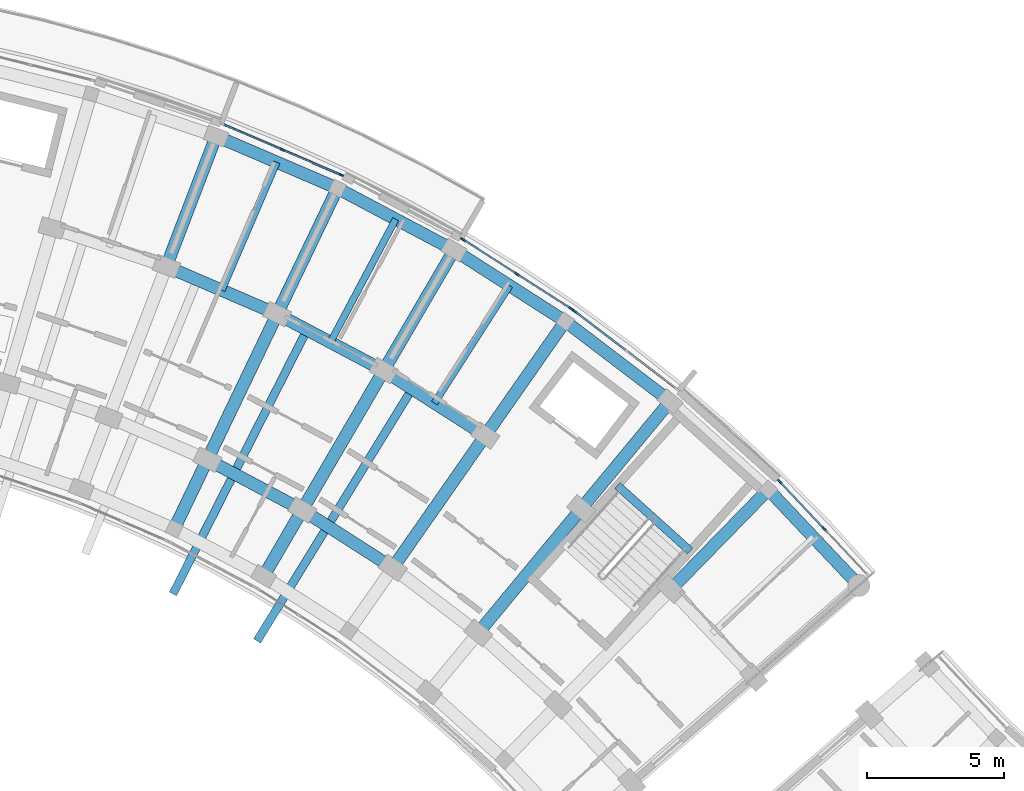
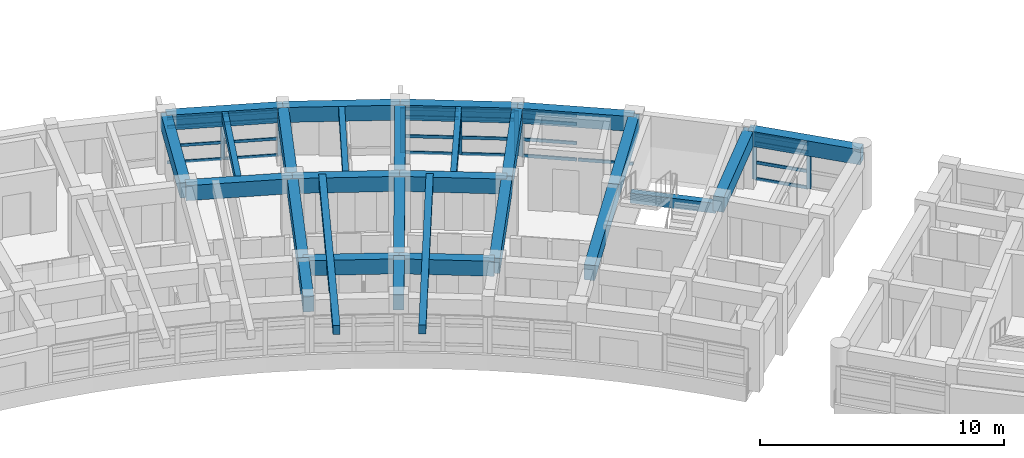
# One storey, part 22 of 70: 33 members, 28 beams, 4 elements without a shape of their own.
"""IFC4 building model written with IfcOpenShell, lengths in metres."""

from ifc_helpers import new_model, si_unit, direction, frame, origin, origin_2d, place, context, subcontext, project, spatial, rectangle, extrude, material, material_profile, profile_set, type_object, element, aggregate, save


model = new_model("IFC4")

# Units and contexts
model_context = context("Model", 3, precision=1e-05, world=origin(), true_north=direction((0.0, 1.0)))
body_context = subcontext(model_context, "Body", "Model", "MODEL_VIEW")
ifc_project = project(units=[si_unit("LENGTHUNIT", "METRE"), si_unit("AREAUNIT", "SQUARE_METRE"), si_unit("VOLUMEUNIT", "CUBIC_METRE"), si_unit("PLANEANGLEUNIT", "RADIAN"), si_unit("MASSUNIT", "GRAM", prefix="KILO")], contexts=[model_context])

# Site, building, storey
site_placement = place(None, origin())
site = spatial("IfcSite", under=ifc_project, at=site_placement, CompositionType="ELEMENT")
building_placement = place(site_placement, origin())
building = spatial("IfcBuilding", under=site, at=building_placement, Name="Zimvara Arc Housing Community", CompositionType="ELEMENT")
storey_placement = place(building_placement, frame((0.0, 0.0, 8.10009765625)))
storey = spatial("IfcBuildingStorey", under=building, at=storey_placement, Name="L02", CompositionType="ELEMENT", Elevation=8.10009765625)

# Beams
ifc_material_1 = material(Name="Concrete C40/50", Category="concrete")
ifc_material_profile_1 = material_profile(ifc_material_1, rectangle(XDim=0.25, YDim=0.449951171875, at=origin_2d()), Name="RC 250x450")
ifc_profile_set_1 = profile_set([ifc_material_profile_1], Name="Concrete C40/50")
beam_type_1 = type_object("IfcBeamType", Name="BM-RC-250x450", PredefinedType="JOIST", material=ifc_profile_set_1)
beam_1_placement = place(storey_placement, frame((66.22802734375, 93.885986328125, 2.65478515625), z_axis=(0.394929109608, 0.918711596958, 0.0), x_axis=(-0.918711596958, 0.394929109608, 0.0)))
element("IfcBeam", 1, at=beam_1_placement, inside=storey, type_object=beam_type_1, Name="bm:blkB:L02:joist:b4", PredefinedType="JOIST", context=body_context, shape_type="SweptSolid", body=[
    extrude(rectangle(XDim=0.25, YDim=0.449951171875, at=origin_2d()), origin(), (0.0, 0.0, 1.0), 5.075927734375),
])
for number, where, z_axis, x_axis, name in (
    (2, (70.186767578125, 91.9892578125, 2.65478515625), (0.46853732736, 0.883443701019, 0.0), (-0.883443701019, 0.46853732736, 0.0), "bm:blkB:L02:joist:b5"),
    (3, (73.9775390625, 89.776123046875, 2.65478515625), (0.539052331508, 0.842272274206, 0.0), (-0.842272274206, 0.539052331508, 0.0), "bm:blkB:L02:joist:b6"),
):
    element("IfcBeam", number, at=place(storey_placement, frame(where, z_axis=z_axis, x_axis=x_axis)), inside=storey, type_object=beam_type_1, Name=name, PredefinedType="JOIST", context=body_context, shape_type="SweptSolid", body=[
        extrude(rectangle(XDim=0.25, YDim=0.449951171875, at=origin_2d()), origin(), (0.0, 0.0, 1.0), 5.07568359375),
    ])
ifc_material_2 = material(Name="Concrete C40/50", Category="concrete")
ifc_material_profile_2 = material_profile(ifc_material_2, rectangle(XDim=0.300048828125, YDim=0.449951171875, at=origin_2d()), Name="RC 300x450")
ifc_profile_set_2 = profile_set([ifc_material_profile_2], Name="Concrete C40/50")
beam_type_2 = type_object("IfcBeamType", Name="BM-RC-300x450", PredefinedType="JOIST", material=ifc_profile_set_2)
beam_2_placement = place(storey_placement, frame((69.349609375, 92.474365234375, 2.664794921875), z_axis=(-0.452584717722, -0.89172141013, 0.0), x_axis=(0.89172141013, -0.452584717722, 0.0)))
element("IfcBeam", 4, at=beam_2_placement, inside=storey, type_object=beam_type_2, Name="bm:blkB:L02:cant_in:b5", PredefinedType="JOIST", context=body_context, shape_type="SweptSolid", body=[
    extrude(rectangle(XDim=0.300048828125, YDim=0.449951171875, at=origin_2d()), origin(), (0.0, 0.0, 1.0), 10.820068359375),
])
beam_3_placement = place(storey_placement, frame((73.182861328125, 90.32763671875, 2.664794921875), z_axis=(-0.523845615736, -0.851813225346, 0.0), x_axis=(0.851813225346, -0.523845615736, 0.0)))
element("IfcBeam", 5, at=beam_3_placement, inside=storey, type_object=beam_type_2, Name="bm:blkB:L02:cant_in:b6", PredefinedType="JOIST", context=body_context, shape_type="SweptSolid", body=[
    extrude(rectangle(XDim=0.300048828125, YDim=0.449951171875, at=origin_2d()), origin(), (0.0, 0.0, 1.0), 10.81982421875),
])
ifc_material_3 = material(Name="Concrete C40/50", Category="concrete")
ifc_material_profile_3 = material_profile(ifc_material_3, rectangle(XDim=0.300048828125, YDim=0.5, at=origin_2d()), Name="RC 300x500")
ifc_profile_set_3 = profile_set([ifc_material_profile_3], Name="Concrete C40/50")
beam_type_3 = type_object("IfcBeamType", Name="BM-RC-300x500", PredefinedType="BEAM", material=ifc_profile_set_3)
beam_4_placement = place(storey_placement, frame((83.2900390625, 84.38671875, 1.2998046875), z_axis=(-0.743396155404, 0.668851370732, 0.0), x_axis=(-0.668851370732, -0.743396155404, 0.0)))
element("IfcBeam", 6, at=beam_4_placement, inside=storey, type_object=beam_type_3, Name="bm:stair_trim:ST-B2:L02:mid", PredefinedType="BEAM", context=body_context, shape_type="SweptSolid", body=[
    extrude(rectangle(XDim=0.300048828125, YDim=0.5, at=origin_2d()), origin(), (0.0, 0.0, 1.0), 3.56982421875),
])
ifc_material_4 = material(Name="Concrete C40/50", Category="concrete")
ifc_material_profile_4 = material_profile(ifc_material_4, rectangle(XDim=0.449951171875, YDim=0.75, at=origin_2d()), Name="RC 450x750")
ifc_profile_set_4 = profile_set([ifc_material_profile_4], Name="Concrete C40/50")
beam_type_4 = type_object("IfcBeamType", Name="BM-RC-450x750", PredefinedType="BEAM", material=ifc_profile_set_4)
beam_5_placement = place(storey_placement, frame((65.70556640625, 87.7158203125, 2.5048828125), z_axis=(0.883438625159, -0.468546897948, 0.0), x_axis=(0.468546897948, 0.883438625159, 0.0)))
element("IfcBeam", 7, at=beam_5_placement, inside=storey, type_object=beam_type_4, Name="bm:blkB:L02:chord:r1:b5", PredefinedType="BEAM", context=body_context, shape_type="SweptSolid", body=[
    extrude(rectangle(XDim=0.449951171875, YDim=0.75, at=origin_2d()), origin(), (0.0, 0.0, 1.0), 3.9130859375),
])
beam_6_placement = place(storey_placement, frame((69.16259765625, 85.88232421875, 2.5048828125), z_axis=(0.842253269878, -0.539082024724, 0.0), x_axis=(0.539082024724, 0.842253269878, 0.0)))
element("IfcBeam", 8, at=beam_6_placement, inside=storey, type_object=beam_type_4, Name="bm:blkB:L02:chord:r1:b6", PredefinedType="BEAM", context=body_context, shape_type="SweptSolid", body=[
    extrude(rectangle(XDim=0.449951171875, YDim=0.75, at=origin_2d()), origin(), (0.0, 0.0, 1.0), 3.912841796875),
])
for number, where, z_axis, x_axis, name in (
    (9, (64.2099609375, 94.75341796875, 2.5048828125), (0.918724840088, -0.394898301093, 0.0), (0.394898301093, 0.918724840088, 0.0), "bm:blkB:L02:chord:r2:b4"),
    (10, (68.24609375, 93.0185546875, 2.5048828125), (0.883456526058, -0.468513144496, 0.0), (0.468513144496, 0.883456526058, 0.0), "bm:blkB:L02:chord:r2:b5"),
    (11, (72.12744140625, 90.960205078125, 2.5048828125), (0.842242131326, -0.539099427025, 0.0), (0.539099427025, 0.842242131326, 0.0), "bm:blkB:L02:chord:r2:b6"),
):
    element("IfcBeam", number, at=place(storey_placement, frame(where, z_axis=z_axis, x_axis=x_axis)), inside=storey, type_object=beam_type_4, Name=name, PredefinedType="BEAM", context=body_context, shape_type="SweptSolid", body=[
        extrude(rectangle(XDim=0.449951171875, YDim=0.75, at=origin_2d()), origin(), (0.0, 0.0, 1.0), 4.393310546875),
    ])
beam_7_placement = place(storey_placement, frame((66.02392578125, 99.49853515625, 2.5048828125), z_axis=(0.918724276228, -0.394899612901, 0.0), x_axis=(0.394899612901, 0.918724276228, 0.0)))
element("IfcBeam", 12, at=beam_7_placement, inside=storey, type_object=beam_type_4, Name="bm:blkB:L02:chord:r3:b4", PredefinedType="BEAM", context=body_context, shape_type="SweptSolid", body=[
    extrude(rectangle(XDim=0.449951171875, YDim=0.75, at=origin_2d()), origin(), (0.0, 0.0, 1.0), 4.80810546875),
])
beam_8_placement = place(storey_placement, frame((70.441162109375, 97.599853515625, 2.5048828125), z_axis=(0.883445542299, -0.468533855546, 0.0), x_axis=(0.468533855546, 0.883445542299, 0.0)))
element("IfcBeam", 13, at=beam_8_placement, inside=storey, type_object=beam_type_4, Name="bm:blkB:L02:chord:r3:b5", PredefinedType="BEAM", context=body_context, shape_type="SweptSolid", body=[
    extrude(rectangle(XDim=0.449951171875, YDim=0.75, at=origin_2d()), origin(), (0.0, 0.0, 1.0), 4.807861328125),
])
beam_9_placement = place(storey_placement, frame((74.688720703125, 95.34716796875, 2.5048828125), z_axis=(0.842255724028, -0.539078190379, 0.0), x_axis=(0.539078190379, 0.842255724028, 0.0)))
element("IfcBeam", 14, at=beam_9_placement, inside=storey, type_object=beam_type_4, Name="bm:blkB:L02:chord:r3:b6", PredefinedType="BEAM", context=body_context, shape_type="SweptSolid", body=[
    extrude(rectangle(XDim=0.449951171875, YDim=0.75, at=origin_2d()), origin(), (0.0, 0.0, 1.0), 4.808349609375),
])
for number, where, z_axis, x_axis, name in (
    (15, (78.738525390625, 92.755126953125, 2.5048828125), (0.795480673672, -0.605978958228, 0.0), (0.605978958228, 0.795480673672, 0.0), "bm:blkB:L02:chord:r3:b7"),
    (16, (86.137451171875, 86.625732421875, 2.5048828125), (0.6862954451, -0.727322873307, 0.0), (0.727322873307, 0.6862954451, 0.0), "bm:blkB:L02:chord:r3:b9"),
):
    element("IfcBeam", number, at=place(storey_placement, frame(where, z_axis=z_axis, x_axis=x_axis)), inside=storey, type_object=beam_type_4, Name=name, PredefinedType="BEAM", context=body_context, shape_type="SweptSolid", body=[
        extrude(rectangle(XDim=0.449951171875, YDim=0.75, at=origin_2d()), origin(), (0.0, 0.0, 1.0), 4.80810546875),
    ])
beam_10_placement = place(storey_placement, frame((64.2099609375, 94.75341796875, 2.5048828125), z_axis=(0.357078271386, 0.934074466038, 0.0), x_axis=(-0.934074466038, 0.357078271386, 0.0)))
element("IfcBeam", 17, at=beam_10_placement, inside=storey, type_object=beam_type_4, Name="bm:blkB:L02:rad:b4:r23", PredefinedType="BEAM", context=body_context, shape_type="SweptSolid", body=[
    extrude(rectangle(XDim=0.449951171875, YDim=0.75, at=origin_2d()), origin(), (0.0, 0.0, 1.0), 5.080078125),
])
beam_11_placement = place(storey_placement, frame((64.49560546875, 85.190673828125, 2.5048828125), z_axis=(0.432118703138, 0.901816736593, 0.0), x_axis=(-0.901816736593, 0.432118703138, 0.0)))
element("IfcBeam", 18, at=beam_11_placement, inside=storey, type_object=beam_type_4, Name="bm:blkB:L02:rad:b5:r01", PredefinedType="BEAM", context=body_context, shape_type="SweptSolid", body=[
    extrude(rectangle(XDim=0.449951171875, YDim=0.75, at=origin_2d()), origin(), (0.0, 0.0, 1.0), 2.800048828125),
])
beam_12_placement = place(storey_placement, frame((65.70556640625, 87.7158203125, 2.5048828125), z_axis=(0.432069527705, 0.901840298073, 0.0), x_axis=(-0.901840298073, 0.432069527705, 0.0)))
element("IfcBeam", 19, at=beam_12_placement, inside=storey, type_object=beam_type_4, Name="bm:blkB:L02:rad:b5:r12", PredefinedType="BEAM", context=body_context, shape_type="SweptSolid", body=[
    extrude(rectangle(XDim=0.449951171875, YDim=0.75, at=origin_2d()), origin(), (0.0, 0.0, 1.0), 5.8798828125),
])
beam_13_placement = place(storey_placement, frame((68.24609375, 93.0185546875, 2.5048828125), z_axis=(0.432098194978, 0.901826563091, 0.0), x_axis=(-0.901826563091, 0.432098194978, 0.0)))
element("IfcBeam", 20, at=beam_13_placement, inside=storey, type_object=beam_type_4, Name="bm:blkB:L02:rad:b5:r23", PredefinedType="BEAM", context=body_context, shape_type="SweptSolid", body=[
    extrude(rectangle(XDim=0.449951171875, YDim=0.75, at=origin_2d()), origin(), (0.0, 0.0, 1.0), 5.080078125),
])
beam_14_placement = place(storey_placement, frame((67.750732421875, 83.46435546875, 2.5048828125), z_axis=(0.504239631668, 0.86356377521, 0.0), x_axis=(-0.86356377521, 0.504239631668, 0.0)))
element("IfcBeam", 21, at=beam_14_placement, inside=storey, type_object=beam_type_4, Name="bm:blkB:L02:rad:b6:r01", PredefinedType="BEAM", context=body_context, shape_type="SweptSolid", body=[
    extrude(rectangle(XDim=0.449951171875, YDim=0.75, at=origin_2d()), origin(), (0.0, 0.0, 1.0), 2.800048828125),
])
beam_15_placement = place(storey_placement, frame((69.16259765625, 85.88232421875, 2.5048828125), z_axis=(0.504219494781, 0.863575532934, 0.0), x_axis=(-0.863575532934, 0.504219494781, 0.0)))
element("IfcBeam", 22, at=beam_15_placement, inside=storey, type_object=beam_type_4, Name="bm:blkB:L02:rad:b6:r12", PredefinedType="BEAM", context=body_context, shape_type="SweptSolid", body=[
    extrude(rectangle(XDim=0.449951171875, YDim=0.75, at=origin_2d()), origin(), (0.0, 0.0, 1.0), 5.880126953125),
])
beam_16_placement = place(storey_placement, frame((72.12744140625, 90.960205078125, 2.5048828125), z_axis=(0.504196701544, 0.863588840915, 0.0), x_axis=(-0.863588840915, 0.504196701544, 0.0)))
element("IfcBeam", 23, at=beam_16_placement, inside=storey, type_object=beam_type_4, Name="bm:blkB:L02:rad:b6:r23", PredefinedType="BEAM", context=body_context, shape_type="SweptSolid", body=[
    extrude(rectangle(XDim=0.449951171875, YDim=0.75, at=origin_2d()), origin(), (0.0, 0.0, 1.0), 5.079833984375),
])
beam_17_placement = place(storey_placement, frame((72.458251953125, 83.77294921875, 2.5048828125), z_axis=(0.573027549978, 0.819536104736, 0.0), x_axis=(-0.819536104736, 0.573027549978, 0.0)))
element("IfcBeam", 24, at=beam_17_placement, inside=storey, type_object=beam_type_4, Name="bm:blkB:L02:rad:b7:r12", PredefinedType="BEAM", context=body_context, shape_type="SweptSolid", body=[
    extrude(rectangle(XDim=0.449951171875, YDim=0.75, at=origin_2d()), origin(), (0.0, 0.0, 1.0), 5.8798828125),
])
beam_18_placement = place(storey_placement, frame((75.82763671875, 88.591796875, 2.5048828125), z_axis=(0.573007469479, 0.819550144848, 0.0), x_axis=(-0.819550144848, 0.573007469479, 0.0)))
element("IfcBeam", 25, at=beam_18_placement, inside=storey, type_object=beam_type_4, Name="bm:blkB:L02:rad:b7:r23", PredefinedType="BEAM", context=body_context, shape_type="SweptSolid", body=[
    extrude(rectangle(XDim=0.449951171875, YDim=0.75, at=origin_2d()), origin(), (0.0, 0.0, 1.0), 5.080078125),
])
beam_19_placement = place(storey_placement, frame((75.571044921875, 81.401611328125, 2.5048828125), z_axis=(0.637955964415, 0.770072845559, 0.0), x_axis=(-0.770072845559, 0.637955964415, 0.0)))
element("IfcBeam", 26, at=beam_19_placement, inside=storey, type_object=beam_type_4, Name="bm:blkB:L02:rad:b8:r12", PredefinedType="BEAM", context=body_context, shape_type="SweptSolid", body=[
    extrude(rectangle(XDim=0.449951171875, YDim=0.75, at=origin_2d()), origin(), (0.0, 0.0, 1.0), 5.880126953125),
])
for number, where, z_axis, x_axis, name in (
    (27, (79.322265625, 85.9296875, 2.5048828125), (0.637983669165, 0.77004989311, 0.0), (-0.77004989311, 0.637983669165, 0.0), "bm:blkB:L02:rad:b8:r23"),
    (28, (82.588134765625, 82.9912109375, 2.5048828125), (0.698670885014, 0.71544321538, 0.0), (-0.71544321538, 0.698670885014, 0.0), "bm:blkB:L02:rad:b9:r23"),
):
    element("IfcBeam", number, at=place(storey_placement, frame(where, z_axis=z_axis, x_axis=x_axis)), inside=storey, type_object=beam_type_4, Name=name, PredefinedType="BEAM", context=body_context, shape_type="SweptSolid", body=[
        extrude(rectangle(XDim=0.449951171875, YDim=0.75, at=origin_2d()), origin(), (0.0, 0.0, 1.0), 5.080078125),
    ])

# Curtain wall, members
ifc_material_5 = material(Name="Anodised Aluminium AW-6063", Category="aluminium")
curtain_wall_type_1 = type_object("IfcCurtainWallType", Name="CW-SYS-06", PredefinedType="USERDEFINED", material=ifc_material_5)
curtain_wall_1_placement = place(storey_placement, origin())
curtain_wall_1 = element("IfcCurtainWall", 29, at=curtain_wall_1_placement, inside=storey, type_object=curtain_wall_type_1, Name="cw:blkB:L02:out:b4", ObjectType="CURTAIN WALL", PredefinedType="USERDEFINED")
ifc_material_6 = material(Name="Anodised Aluminium AW-6063", Category="aluminium")
ifc_material_profile_5 = material_profile(ifc_material_6, rectangle(XDim=0.06494140625, YDim=0.179931640625, at=origin_2d()), Name="ALU 65x180")
ifc_profile_set_5 = profile_set([ifc_material_profile_5], Name="Anodised Aluminium AW-6063")
member_type_1 = type_object("IfcMemberType", Name="CWM-65x150", PredefinedType="MULLION", material=ifc_profile_set_5)
member_1_placement = place(storey_placement, frame((68.429931640625, 99.00830078125, 0.0), z_axis=(0.0, 0.0, 1.0), x_axis=(0.394904211998, 0.918722299363, 0.0)))
member_1 = element("IfcMember", 30, at=member_1_placement, type_object=member_type_1, Name="CW06 mullion 2", PredefinedType="MULLION", context=body_context, shape_type="SweptSolid", body=[
    extrude(rectangle(XDim=0.06494140625, YDim=0.179931640625, at=origin_2d()), origin(), (0.0, 0.0, 1.0), 2.25),
])
member_2_placement = place(storey_placement, frame((70.572265625, 98.08740234375, 0.0), z_axis=(0.0, 0.0, 1.0), x_axis=(0.394904211998, 0.918722299363, 0.0)))
member_2 = element("IfcMember", 31, at=member_2_placement, type_object=member_type_1, Name="CW06 mullion 3", PredefinedType="MULLION", context=body_context, shape_type="SweptSolid", body=[
    extrude(rectangle(XDim=0.06494140625, YDim=0.179931640625, at=origin_2d()), origin(), (0.0, 0.0, 1.0), 2.25),
])

ifc_material_7 = material(Name="Anodised Aluminium AW-6063", Category="aluminium")
curtain_wall_type_2 = type_object("IfcCurtainWallType", Name="CW-SYS-01", PredefinedType="USERDEFINED", material=ifc_material_7)
curtain_wall_2_placement = place(storey_placement, origin())
curtain_wall_2 = element("IfcCurtainWall", 32, at=curtain_wall_2_placement, inside=storey, type_object=curtain_wall_type_2, Name="cw:blkB:L02:out:b6", ObjectType="CURTAIN WALL", PredefinedType="USERDEFINED")
ifc_material_8 = material(Name="Anodised Aluminium AW-6063", Category="aluminium")
ifc_material_profile_6 = material_profile(ifc_material_8, rectangle(XDim=0.06494140625, YDim=0.195068359375, at=origin_2d()), Name="ALU 65x195")
ifc_profile_set_6 = profile_set([ifc_material_profile_6], Name="Anodised Aluminium AW-6063")
member_type_2 = type_object("IfcMemberType", Name="CWM-65x180", PredefinedType="MULLION", material=ifc_profile_set_6)
member_3_placement = place(storey_placement, frame((75.018798828125, 95.72900390625, 0.0), z_axis=(0.0, 0.0, 1.0), x_axis=(0.539064617721, 0.842264410931, 0.0)))
member_3 = element("IfcMember", 33, at=member_3_placement, type_object=member_type_2, Name="CW01 mullion 1", PredefinedType="MULLION", context=body_context, shape_type="SweptSolid", body=[
    extrude(rectangle(XDim=0.06494140625, YDim=0.195068359375, at=origin_2d()), origin(), (0.0, 0.0, 1.0), 2.25),
])
member_4_placement = place(storey_placement, frame((76.98291015625, 94.471923828125, 0.0), z_axis=(0.0, 0.0, 1.0), x_axis=(0.539064617721, 0.842264410931, 0.0)))
member_4 = element("IfcMember", 34, at=member_4_placement, type_object=member_type_2, Name="CW01 mullion 2", PredefinedType="MULLION", context=body_context, shape_type="SweptSolid", body=[
    extrude(rectangle(XDim=0.06494140625, YDim=0.195068359375, at=origin_2d()), origin(), (0.0, 0.0, 1.0), 2.25),
])
member_5_placement = place(storey_placement, frame((78.947021484375, 93.21484375, 0.0), z_axis=(0.0, 0.0, 1.0), x_axis=(0.539064617721, 0.842264410931, 0.0)))
member_5 = element("IfcMember", 35, at=member_5_placement, type_object=member_type_2, Name="CW01 mullion 3", PredefinedType="MULLION", context=body_context, shape_type="SweptSolid", body=[
    extrude(rectangle(XDim=0.06494140625, YDim=0.195068359375, at=origin_2d()), origin(), (0.0, 0.0, 1.0), 2.25),
])

# Curtain wall, member
ifc_material_9 = material(Name="Anodised Aluminium AW-6063", Category="aluminium")
curtain_wall_type_3 = type_object("IfcCurtainWallType", Name="CW-SYS-03", PredefinedType="USERDEFINED", material=ifc_material_9)
curtain_wall_3_placement = place(storey_placement, origin())
curtain_wall_3 = element("IfcCurtainWall", 36, at=curtain_wall_3_placement, inside=storey, type_object=curtain_wall_type_3, Name="cw:blkB:L02:out:b7", ObjectType="CURTAIN WALL", PredefinedType="USERDEFINED")
member_6_placement = place(storey_placement, frame((79.0986328125, 93.10888671875, 0.0), z_axis=(0.0, 0.0, 1.0), x_axis=(0.60598771987, 0.795473999177, 0.0)))
member_6 = element("IfcMember", 37, at=member_6_placement, type_object=member_type_2, Name="CW03 mullion 1", PredefinedType="MULLION", context=body_context, shape_type="SweptSolid", body=[
    extrude(rectangle(XDim=0.06494140625, YDim=0.195068359375, at=origin_2d()), origin(), (0.0, 0.0, 1.0), 2.25),
])

# Curtain wall, members
ifc_material_10 = material(Name="Anodised Aluminium AW-6063", Category="aluminium")
curtain_wall_type_4 = type_object("IfcCurtainWallType", Name="CW-SYS-05", PredefinedType="USERDEFINED", material=ifc_material_10)
curtain_wall_4_placement = place(storey_placement, origin())
curtain_wall_4 = element("IfcCurtainWall", 38, at=curtain_wall_4_placement, inside=storey, type_object=curtain_wall_type_4, Name="cw:blkB:L02:out:b9", ObjectType="CURTAIN WALL", PredefinedType="USERDEFINED")
member_7_placement = place(storey_placement, frame((86.55029296875, 86.916015625, 0.0), z_axis=(0.0, 0.0, 1.0), x_axis=(0.727293647725, 0.686326416495, 0.0)))
member_7 = element("IfcMember", 39, at=member_7_placement, type_object=member_type_2, Name="CW05 mullion 1", PredefinedType="MULLION", context=body_context, shape_type="SweptSolid", body=[
    extrude(rectangle(XDim=0.06494140625, YDim=0.195068359375, at=origin_2d()), origin(), (0.0, 0.0, 1.0), 2.25),
])
member_8_placement = place(storey_placement, frame((88.150634765625, 85.219970703125, 0.0), z_axis=(0.0, 0.0, 1.0), x_axis=(0.727293647725, 0.686326416495, 0.0)))
member_8 = element("IfcMember", 40, at=member_8_placement, type_object=member_type_2, Name="CW05 mullion 2", PredefinedType="MULLION", context=body_context, shape_type="SweptSolid", body=[
    extrude(rectangle(XDim=0.06494140625, YDim=0.195068359375, at=origin_2d()), origin(), (0.0, 0.0, 1.0), 2.25),
])

# Member
ifc_material_11 = material(Name="Anodised Aluminium AW-6063", Category="aluminium")
ifc_material_profile_7 = material_profile(ifc_material_11, rectangle(XDim=0.06494140625, YDim=0.139892578125, at=origin_2d()), Name="ALU 65x140")
ifc_profile_set_7 = profile_set([ifc_material_profile_7], Name="Anodised Aluminium AW-6063")
member_type_3 = type_object("IfcMemberType", Name="CWT-65x120", PredefinedType="USERDEFINED", material=ifc_profile_set_7)
member_9_placement = place(storey_placement, frame((66.3173828125, 99.916259765625, 0.032470703125), z_axis=(0.918704360712, -0.394945942641, 0.0), x_axis=(0.394945942641, 0.918704360712, 0.0)))
member_9 = element("IfcMember", 41, at=member_9_placement, type_object=member_type_3, Name="CW06 transom 1.1", ObjectType="TRANSOM", PredefinedType="USERDEFINED", context=body_context, shape_type="SweptSolid", body=[
    extrude(rectangle(XDim=0.06494140625, YDim=0.139892578125, at=origin_2d()), origin(), (0.0, 0.0, 1.0), 2.266845703125),
])

member_10_placement = place(storey_placement, frame((66.3173828125, 99.916259765625, 0.849853515625), z_axis=(0.918704360712, -0.394945942641, 0.0), x_axis=(0.394945942641, 0.918704360712, 0.0)))
member_10 = element("IfcMember", 42, at=member_10_placement, type_object=member_type_3, Name="CW06 transom 1.2", ObjectType="TRANSOM", PredefinedType="USERDEFINED", context=body_context, shape_type="SweptSolid", body=[
    extrude(rectangle(XDim=0.06494140625, YDim=0.139892578125, at=origin_2d()), origin(), (0.0, 0.0, 1.0), 2.266845703125),
])

member_11_placement = place(storey_placement, frame((66.3173828125, 99.916259765625, 1.7998046875), z_axis=(0.918704360712, -0.394945942641, 0.0), x_axis=(0.394945942641, 0.918704360712, 0.0)))
member_11 = element("IfcMember", 43, at=member_11_placement, type_object=member_type_3, Name="CW06 transom 1.3", ObjectType="TRANSOM", PredefinedType="USERDEFINED", context=body_context, shape_type="SweptSolid", body=[
    extrude(rectangle(XDim=0.06494140625, YDim=0.139892578125, at=origin_2d()), origin(), (0.0, 0.0, 1.0), 2.266845703125),
])

member_12_placement = place(storey_placement, frame((66.3173828125, 99.916259765625, 2.21728515625), z_axis=(0.918704360712, -0.394945942641, 0.0), x_axis=(0.394945942641, 0.918704360712, 0.0)))
member_12 = element("IfcMember", 44, at=member_12_placement, type_object=member_type_3, Name="CW06 transom 1.4", ObjectType="TRANSOM", PredefinedType="USERDEFINED", context=body_context, shape_type="SweptSolid", body=[
    extrude(rectangle(XDim=0.06494140625, YDim=0.139892578125, at=origin_2d()), origin(), (0.0, 0.0, 1.0), 2.266845703125),
])

member_13_placement = place(storey_placement, frame((68.459716796875, 98.995361328125, 0.032470703125), z_axis=(0.918721157939, -0.394906867444, 0.0), x_axis=(0.394906867444, 0.918721157939, 0.0)))
member_13 = element("IfcMember", 45, at=member_13_placement, type_object=member_type_3, Name="CW06 transom 2.1", ObjectType="TRANSOM", PredefinedType="USERDEFINED", context=body_context, shape_type="SweptSolid", body=[
    extrude(rectangle(XDim=0.06494140625, YDim=0.139892578125, at=origin_2d()), origin(), (0.0, 0.0, 1.0), 2.26708984375),
])

member_14_placement = place(storey_placement, frame((68.459716796875, 98.995361328125, 0.849853515625), z_axis=(0.918721157939, -0.394906867444, 0.0), x_axis=(0.394906867444, 0.918721157939, 0.0)))
member_14 = element("IfcMember", 46, at=member_14_placement, type_object=member_type_3, Name="CW06 transom 2.2", ObjectType="TRANSOM", PredefinedType="USERDEFINED", context=body_context, shape_type="SweptSolid", body=[
    extrude(rectangle(XDim=0.06494140625, YDim=0.139892578125, at=origin_2d()), origin(), (0.0, 0.0, 1.0), 2.26708984375),
])

member_15_placement = place(storey_placement, frame((68.459716796875, 98.995361328125, 1.7998046875), z_axis=(0.918721157939, -0.394906867444, 0.0), x_axis=(0.394906867444, 0.918721157939, 0.0)))
member_15 = element("IfcMember", 47, at=member_15_placement, type_object=member_type_3, Name="CW06 transom 2.3", ObjectType="TRANSOM", PredefinedType="USERDEFINED", context=body_context, shape_type="SweptSolid", body=[
    extrude(rectangle(XDim=0.06494140625, YDim=0.139892578125, at=origin_2d()), origin(), (0.0, 0.0, 1.0), 2.26708984375),
])

member_16_placement = place(storey_placement, frame((68.459716796875, 98.995361328125, 2.21728515625), z_axis=(0.918721157939, -0.394906867444, 0.0), x_axis=(0.394906867444, 0.918721157939, 0.0)))
member_16 = element("IfcMember", 48, at=member_16_placement, type_object=member_type_3, Name="CW06 transom 2.4", ObjectType="TRANSOM", PredefinedType="USERDEFINED", context=body_context, shape_type="SweptSolid", body=[
    extrude(rectangle(XDim=0.06494140625, YDim=0.139892578125, at=origin_2d()), origin(), (0.0, 0.0, 1.0), 2.26708984375),
])

aggregate(curtain_wall_1, [member_1, member_2, member_9, member_10, member_11, member_12, member_13, member_14, member_15, member_16])

ifc_material_12 = material(Name="Anodised Aluminium AW-6063", Category="aluminium")
ifc_material_profile_8 = material_profile(ifc_material_12, rectangle(XDim=0.06494140625, YDim=0.155029296875, at=origin_2d()), Name="ALU 65x155")
ifc_profile_set_8 = profile_set([ifc_material_profile_8], Name="Anodised Aluminium AW-6063")
member_type_4 = type_object("IfcMemberType", Name="CWT-65x140", PredefinedType="USERDEFINED", material=ifc_profile_set_8)
member_17_placement = place(storey_placement, frame((75.046142578125, 95.71142578125, 0.032470703125), z_axis=(0.842292914806, -0.539020079095, 0.0), x_axis=(0.539020079095, 0.842292914806, 0.0)))
member_17 = element("IfcMember", 49, at=member_17_placement, type_object=member_type_4, Name="CW01 transom 1.1", ObjectType="TRANSOM", PredefinedType="USERDEFINED", context=body_context, shape_type="SweptSolid", body=[
    extrude(rectangle(XDim=0.06494140625, YDim=0.155029296875, at=origin_2d()), origin(), (0.0, 0.0, 1.0), 2.266845703125),
])

member_18_placement = place(storey_placement, frame((75.046142578125, 95.71142578125, 0.849853515625), z_axis=(0.842292914806, -0.539020079095, 0.0), x_axis=(0.539020079095, 0.842292914806, 0.0)))
member_18 = element("IfcMember", 50, at=member_18_placement, type_object=member_type_4, Name="CW01 transom 1.2", ObjectType="TRANSOM", PredefinedType="USERDEFINED", context=body_context, shape_type="SweptSolid", body=[
    extrude(rectangle(XDim=0.06494140625, YDim=0.155029296875, at=origin_2d()), origin(), (0.0, 0.0, 1.0), 2.266845703125),
])

member_19_placement = place(storey_placement, frame((75.046142578125, 95.71142578125, 1.7998046875), z_axis=(0.842292914806, -0.539020079095, 0.0), x_axis=(0.539020079095, 0.842292914806, 0.0)))
member_19 = element("IfcMember", 51, at=member_19_placement, type_object=member_type_4, Name="CW01 transom 1.3", ObjectType="TRANSOM", PredefinedType="USERDEFINED", context=body_context, shape_type="SweptSolid", body=[
    extrude(rectangle(XDim=0.06494140625, YDim=0.155029296875, at=origin_2d()), origin(), (0.0, 0.0, 1.0), 2.266845703125),
])

member_20_placement = place(storey_placement, frame((75.046142578125, 95.71142578125, 2.21728515625), z_axis=(0.842292914806, -0.539020079095, 0.0), x_axis=(0.539020079095, 0.842292914806, 0.0)))
member_20 = element("IfcMember", 52, at=member_20_placement, type_object=member_type_4, Name="CW01 transom 1.4", ObjectType="TRANSOM", PredefinedType="USERDEFINED", context=body_context, shape_type="SweptSolid", body=[
    extrude(rectangle(XDim=0.06494140625, YDim=0.155029296875, at=origin_2d()), origin(), (0.0, 0.0, 1.0), 2.266845703125),
])

member_21_placement = place(storey_placement, frame((77.01025390625, 94.454345703125, 0.032470703125), z_axis=(0.842292914806, -0.539020079095, 0.0), x_axis=(0.539020079095, 0.842292914806, 0.0)))
member_21 = element("IfcMember", 53, at=member_21_placement, type_object=member_type_4, Name="CW01 transom 2.1", ObjectType="TRANSOM", PredefinedType="USERDEFINED", context=body_context, shape_type="SweptSolid", body=[
    extrude(rectangle(XDim=0.06494140625, YDim=0.155029296875, at=origin_2d()), origin(), (0.0, 0.0, 1.0), 2.266845703125),
])

member_22_placement = place(storey_placement, frame((77.01025390625, 94.454345703125, 0.849853515625), z_axis=(0.842292914806, -0.539020079095, 0.0), x_axis=(0.539020079095, 0.842292914806, 0.0)))
member_22 = element("IfcMember", 54, at=member_22_placement, type_object=member_type_4, Name="CW01 transom 2.2", ObjectType="TRANSOM", PredefinedType="USERDEFINED", context=body_context, shape_type="SweptSolid", body=[
    extrude(rectangle(XDim=0.06494140625, YDim=0.155029296875, at=origin_2d()), origin(), (0.0, 0.0, 1.0), 2.266845703125),
])

member_23_placement = place(storey_placement, frame((77.01025390625, 94.454345703125, 1.7998046875), z_axis=(0.842292914806, -0.539020079095, 0.0), x_axis=(0.539020079095, 0.842292914806, 0.0)))
member_23 = element("IfcMember", 55, at=member_23_placement, type_object=member_type_4, Name="CW01 transom 2.3", ObjectType="TRANSOM", PredefinedType="USERDEFINED", context=body_context, shape_type="SweptSolid", body=[
    extrude(rectangle(XDim=0.06494140625, YDim=0.155029296875, at=origin_2d()), origin(), (0.0, 0.0, 1.0), 2.266845703125),
])

member_24_placement = place(storey_placement, frame((77.01025390625, 94.454345703125, 2.21728515625), z_axis=(0.842292914806, -0.539020079095, 0.0), x_axis=(0.539020079095, 0.842292914806, 0.0)))
member_24 = element("IfcMember", 56, at=member_24_placement, type_object=member_type_4, Name="CW01 transom 2.4", ObjectType="TRANSOM", PredefinedType="USERDEFINED", context=body_context, shape_type="SweptSolid", body=[
    extrude(rectangle(XDim=0.06494140625, YDim=0.155029296875, at=origin_2d()), origin(), (0.0, 0.0, 1.0), 2.266845703125),
])

aggregate(curtain_wall_2, [member_3, member_4, member_5, member_17, member_18, member_19, member_20, member_21, member_22, member_23, member_24])

member_25_placement = place(storey_placement, frame((79.12451171875, 93.08935546875, 0.032470703125), z_axis=(0.795453969776, -0.606014011363, 0.0), x_axis=(0.606014011363, 0.795453969776, 0.0)))
member_25 = element("IfcMember", 57, at=member_25_placement, type_object=member_type_4, Name="CW03 transom 1.1", ObjectType="TRANSOM", PredefinedType="USERDEFINED", context=body_context, shape_type="SweptSolid", body=[
    extrude(rectangle(XDim=0.06494140625, YDim=0.155029296875, at=origin_2d()), origin(), (0.0, 0.0, 1.0), 2.266845703125),
])

member_26_placement = place(storey_placement, frame((79.12451171875, 93.08935546875, 0.849853515625), z_axis=(0.795453969776, -0.606014011363, 0.0), x_axis=(0.606014011363, 0.795453969776, 0.0)))
member_26 = element("IfcMember", 58, at=member_26_placement, type_object=member_type_4, Name="CW03 transom 1.2", ObjectType="TRANSOM", PredefinedType="USERDEFINED", context=body_context, shape_type="SweptSolid", body=[
    extrude(rectangle(XDim=0.06494140625, YDim=0.155029296875, at=origin_2d()), origin(), (0.0, 0.0, 1.0), 2.266845703125),
])

member_27_placement = place(storey_placement, frame((79.12451171875, 93.08935546875, 1.7998046875), z_axis=(0.795453969776, -0.606014011363, 0.0), x_axis=(0.606014011363, 0.795453969776, 0.0)))
member_27 = element("IfcMember", 59, at=member_27_placement, type_object=member_type_4, Name="CW03 transom 1.3", ObjectType="TRANSOM", PredefinedType="USERDEFINED", context=body_context, shape_type="SweptSolid", body=[
    extrude(rectangle(XDim=0.06494140625, YDim=0.155029296875, at=origin_2d()), origin(), (0.0, 0.0, 1.0), 2.266845703125),
])

member_28_placement = place(storey_placement, frame((79.12451171875, 93.08935546875, 2.21728515625), z_axis=(0.795453969776, -0.606014011363, 0.0), x_axis=(0.606014011363, 0.795453969776, 0.0)))
member_28 = element("IfcMember", 60, at=member_28_placement, type_object=member_type_4, Name="CW03 transom 1.4", ObjectType="TRANSOM", PredefinedType="USERDEFINED", context=body_context, shape_type="SweptSolid", body=[
    extrude(rectangle(XDim=0.06494140625, YDim=0.155029296875, at=origin_2d()), origin(), (0.0, 0.0, 1.0), 2.266845703125),
])

member_29_placement = place(storey_placement, frame((80.9794921875, 91.676025390625, 0.032470703125), z_axis=(0.795505886513, -0.605945859399, 0.0), x_axis=(0.605945859399, 0.795505886513, 0.0)))
member_29 = element("IfcMember", 61, at=member_29_placement, type_object=member_type_4, Name="CW03 transom 2.1", ObjectType="TRANSOM", PredefinedType="USERDEFINED", context=body_context, shape_type="SweptSolid", body=[
    extrude(rectangle(XDim=0.06494140625, YDim=0.155029296875, at=origin_2d()), origin(), (0.0, 0.0, 1.0), 2.266845703125),
])

aggregate(curtain_wall_3, [member_6, member_25, member_26, member_27, member_28, member_29])

member_30_placement = place(storey_placement, frame((86.572509765625, 86.892333984375, 0.032470703125), z_axis=(0.686348357589, -0.727272941911, 0.0), x_axis=(0.727272941911, 0.686348357589, 0.0)))
member_30 = element("IfcMember", 62, at=member_30_placement, type_object=member_type_4, Name="CW05 transom 1.1", ObjectType="TRANSOM", PredefinedType="USERDEFINED", context=body_context, shape_type="SweptSolid", body=[
    extrude(rectangle(XDim=0.06494140625, YDim=0.155029296875, at=origin_2d()), origin(), (0.0, 0.0, 1.0), 2.266845703125),
])

member_31_placement = place(storey_placement, frame((86.572509765625, 86.892333984375, 0.849853515625), z_axis=(0.686348357589, -0.727272941911, 0.0), x_axis=(0.727272941911, 0.686348357589, 0.0)))
member_31 = element("IfcMember", 63, at=member_31_placement, type_object=member_type_4, Name="CW05 transom 1.2", ObjectType="TRANSOM", PredefinedType="USERDEFINED", context=body_context, shape_type="SweptSolid", body=[
    extrude(rectangle(XDim=0.06494140625, YDim=0.155029296875, at=origin_2d()), origin(), (0.0, 0.0, 1.0), 2.266845703125),
])

member_32_placement = place(storey_placement, frame((86.572509765625, 86.892333984375, 1.7998046875), z_axis=(0.686348357589, -0.727272941911, 0.0), x_axis=(0.727272941911, 0.686348357589, 0.0)))
member_32 = element("IfcMember", 64, at=member_32_placement, type_object=member_type_4, Name="CW05 transom 1.3", ObjectType="TRANSOM", PredefinedType="USERDEFINED", context=body_context, shape_type="SweptSolid", body=[
    extrude(rectangle(XDim=0.06494140625, YDim=0.155029296875, at=origin_2d()), origin(), (0.0, 0.0, 1.0), 2.266845703125),
])

member_33_placement = place(storey_placement, frame((86.572509765625, 86.892333984375, 2.21728515625), z_axis=(0.686348357589, -0.727272941911, 0.0), x_axis=(0.727272941911, 0.686348357589, 0.0)))
member_33 = element("IfcMember", 65, at=member_33_placement, type_object=member_type_4, Name="CW05 transom 1.4", ObjectType="TRANSOM", PredefinedType="USERDEFINED", context=body_context, shape_type="SweptSolid", body=[
    extrude(rectangle(XDim=0.06494140625, YDim=0.155029296875, at=origin_2d()), origin(), (0.0, 0.0, 1.0), 2.266845703125),
])

aggregate(curtain_wall_4, [member_7, member_8, member_30, member_31, member_32, member_33])

save(model, "model.ifc")
